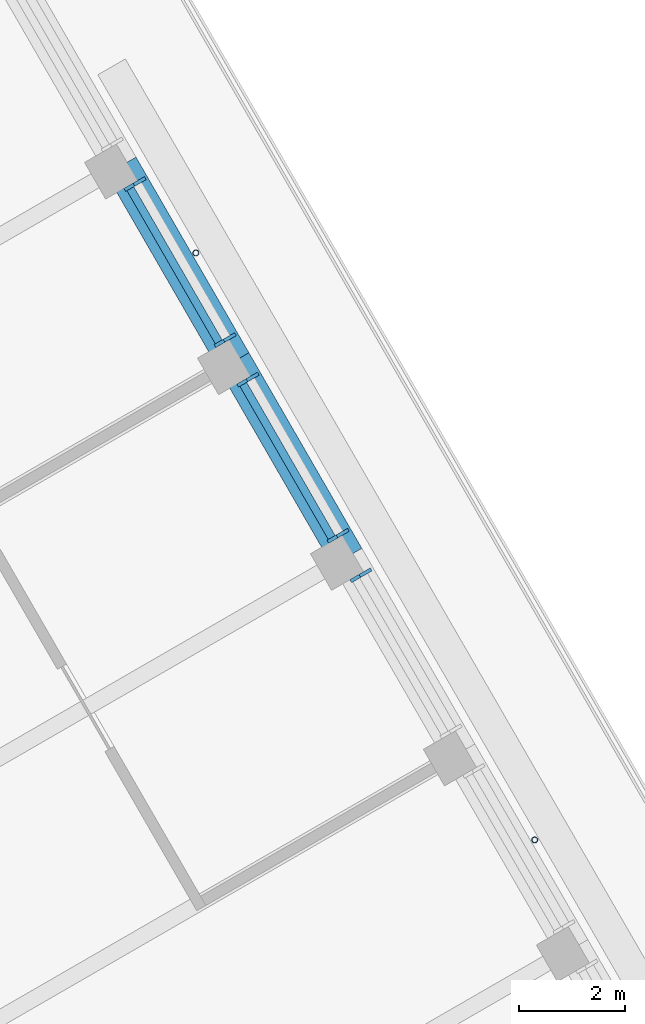
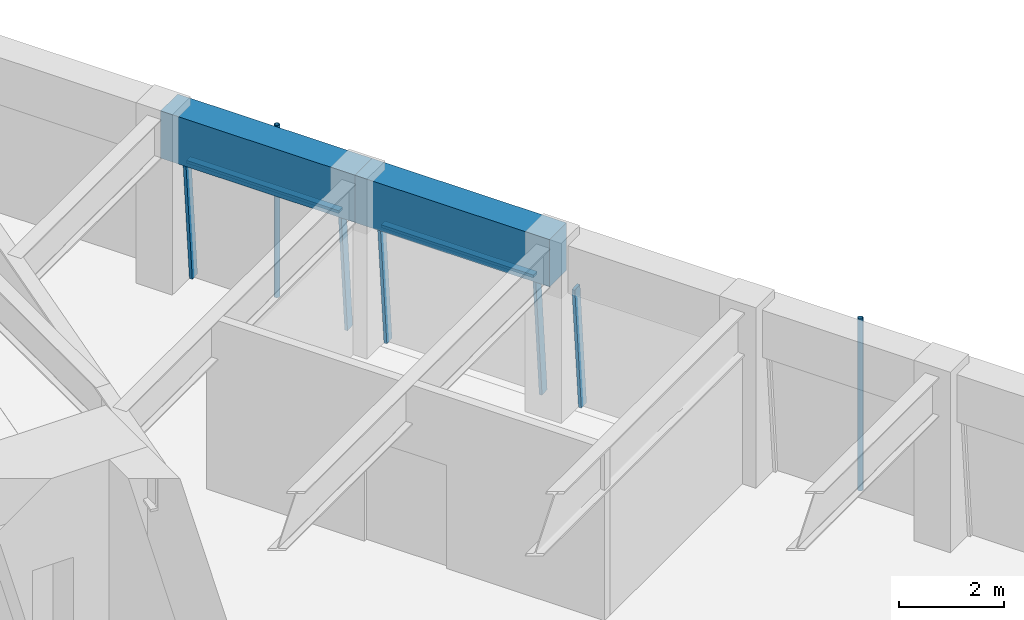
# One storey, part 10 of 20: 9 members, 2 beams, 3 elements without a shape of their own.
"""IFC4 building model written with IfcOpenShell, lengths in metres."""

from ifc_helpers import new_model, si_unit, direction, frame, origin, origin_2d, place, context, subcontext, project, spatial, rectangle, hollow_circle, extrude, material, material_profile, profile_set, type_object, element, aggregate, save


model = new_model("IFC4")

# Units and contexts
model_context = context("Model", 3, precision=1e-05, world=origin(), true_north=direction((0.0, 1.0)))
body_context = subcontext(model_context, "Body", "Model", "MODEL_VIEW")
ifc_project = project(units=[si_unit("LENGTHUNIT", "METRE"), si_unit("AREAUNIT", "SQUARE_METRE"), si_unit("VOLUMEUNIT", "CUBIC_METRE"), si_unit("PLANEANGLEUNIT", "RADIAN"), si_unit("MASSUNIT", "GRAM", prefix="KILO")], contexts=[model_context])

# Site, building, storey
site_placement = place(None, origin())
site = spatial("IfcSite", under=ifc_project, at=site_placement, CompositionType="ELEMENT")
building_placement = place(site_placement, origin())
building = spatial("IfcBuilding", under=site, at=building_placement, Name="Tarfa Lantern Tower", CompositionType="ELEMENT")
storey_placement = place(building_placement, frame((0.0, 0.0, 382.89990234375)))
storey = spatial("IfcBuildingStorey", under=building, at=storey_placement, Name="L87", CompositionType="ELEMENT", Elevation=382.89990234375)

# Curtain wall, member
ifc_material_1 = material(Name="Aluminium framed curtain wall", Category="aluminium")
curtain_wall_type = type_object("IfcCurtainWallType", Name="CW4 CANTED GLAZING EXECUTIVE ZONE 2900", PredefinedType="USERDEFINED", material=ifc_material_1)
curtain_wall_1_placement = place(storey_placement, origin())
curtain_wall_1 = element("IfcCurtainWall", 1, at=curtain_wall_1_placement, inside=storey, type_object=curtain_wall_type, Name="CW4 NE L87", ObjectType="CURTAIN WALL", PredefinedType="USERDEFINED")
ifc_material_2 = material(Name="Aluminium mullion", Category="aluminium")
ifc_material_profile_1 = material_profile(ifc_material_2, rectangle(XDim=0.06494140625, YDim=0.199951171875, at=origin_2d()), Name="AL MULLION 65x200")
ifc_profile_set_1 = profile_set([ifc_material_profile_1], Name="Aluminium mullion")
member_type_1 = type_object("IfcMemberType", Name="CWM1 MULLION 65x200", PredefinedType="MULLION", material=ifc_profile_set_1)
member_1_placement = place(storey_placement, frame((23.2958984375, 12.950439453125, 0.0), z_axis=(-0.074393603155, -0.042941967097, 0.996303959277), x_axis=(0.499919672301, -0.866071776036, 0.0)))
member_1 = element("IfcMember", 2, at=member_1_placement, type_object=member_type_1, Name="CW4 mullion 2", PredefinedType="MULLION", context=body_context, shape_type="SweptSolid", body=[
    extrude(rectangle(XDim=0.06494140625, YDim=0.199951171875, at=origin_2d()), origin(), (0.0, 0.0, 1.0), 2.910888671875),
])
aggregate(curtain_wall_1, [member_1])

# Curtain wall, members
curtain_wall_2_placement = place(storey_placement, origin())
curtain_wall_2 = element("IfcCurtainWall", 3, at=curtain_wall_2_placement, inside=storey, type_object=curtain_wall_type, Name="CW4 NE L87", ObjectType="CURTAIN WALL", PredefinedType="USERDEFINED")
member_2_placement = place(storey_placement, frame((22.86328125, 13.699462890625, 0.0), z_axis=(-0.074393603155, -0.042941967097, 0.996303959277), x_axis=(0.499919672301, -0.866071776036, 0.0)))
member_2 = element("IfcMember", 4, at=member_2_placement, type_object=member_type_1, Name="CW4 mullion 1", PredefinedType="MULLION", context=body_context, shape_type="SweptSolid", body=[
    extrude(rectangle(XDim=0.06494140625, YDim=0.199951171875, at=origin_2d()), origin(), (0.0, 0.0, 1.0), 2.910888671875),
])
member_3_placement = place(storey_placement, frame((21.15478515625, 16.65869140625, 0.0), z_axis=(-0.074393603155, -0.042941967097, 0.996303959277), x_axis=(0.499919672301, -0.866071776036, 0.0)))
member_3 = element("IfcMember", 5, at=member_3_placement, type_object=member_type_1, Name="CW4 mullion 2", PredefinedType="MULLION", context=body_context, shape_type="SweptSolid", body=[
    extrude(rectangle(XDim=0.06494140625, YDim=0.199951171875, at=origin_2d()), origin(), (0.0, 0.0, 1.0), 2.910888671875),
])

curtain_wall_3_placement = place(storey_placement, origin())
curtain_wall_3 = element("IfcCurtainWall", 6, at=curtain_wall_3_placement, inside=storey, type_object=curtain_wall_type, Name="CW4 NE L87", ObjectType="CURTAIN WALL", PredefinedType="USERDEFINED")
member_4_placement = place(storey_placement, frame((20.722412109375, 17.407958984375, 0.0), z_axis=(-0.074393603155, -0.042941967097, 0.996303959277), x_axis=(0.499919672301, -0.866071776036, 0.0)))
member_4 = element("IfcMember", 7, at=member_4_placement, type_object=member_type_1, Name="CW4 mullion 1", PredefinedType="MULLION", context=body_context, shape_type="SweptSolid", body=[
    extrude(rectangle(XDim=0.06494140625, YDim=0.199951171875, at=origin_2d()), origin(), (0.0, 0.0, 1.0), 2.910888671875),
])
member_5_placement = place(storey_placement, frame((19.013916015625, 20.3671875, 0.0), z_axis=(-0.074393603155, -0.042941967097, 0.996303959277), x_axis=(0.499919672301, -0.866071776036, 0.0)))
member_5 = element("IfcMember", 8, at=member_5_placement, type_object=member_type_1, Name="CW4 mullion 2", PredefinedType="MULLION", context=body_context, shape_type="SweptSolid", body=[
    extrude(rectangle(XDim=0.06494140625, YDim=0.199951171875, at=origin_2d()), origin(), (0.0, 0.0, 1.0), 2.910888671875),
])

# Member
ifc_material_3 = material(Name="Aluminium transom", Category="aluminium")
ifc_material_profile_2 = material_profile(ifc_material_3, rectangle(XDim=0.14990234375, YDim=0.06494140625, at=origin_2d()), Name="AL TRANSOM 150x65")
ifc_profile_set_2 = profile_set([ifc_material_profile_2], Name="Aluminium transom")
member_type_2 = type_object("IfcMemberType", Name="CWT1 TRANSOM 150x65", PredefinedType="USERDEFINED", material=ifc_profile_set_2)
member_6_placement = place(storey_placement, frame((22.633056640625, 13.60400390625, 2.86767578125), z_axis=(-0.499985139611, 0.866033983264, 0.0), x_axis=(-0.866033983264, -0.499985139611, 0.0)))
member_6 = element("IfcMember", 9, at=member_6_placement, type_object=member_type_2, Name="CW4 transom 1.2", ObjectType="TRANSOM", PredefinedType="USERDEFINED", context=body_context, shape_type="SweptSolid", body=[
    extrude(rectangle(XDim=0.14990234375, YDim=0.06494140625, at=origin_2d()), origin(), (0.0, 0.0, 1.0), 3.35205078125),
])

aggregate(curtain_wall_2, [member_2, member_3, member_6])

member_7_placement = place(storey_placement, frame((20.491943359375, 17.3125, 2.86767578125), z_axis=(-0.500016677412, 0.866015774862, 0.0), x_axis=(-0.866015774862, -0.500016677412, 0.0)))
member_7 = element("IfcMember", 10, at=member_7_placement, type_object=member_type_2, Name="CW4 transom 1.2", ObjectType="TRANSOM", PredefinedType="USERDEFINED", context=body_context, shape_type="SweptSolid", body=[
    extrude(rectangle(XDim=0.14990234375, YDim=0.06494140625, at=origin_2d()), origin(), (0.0, 0.0, 1.0), 3.35205078125),
])

aggregate(curtain_wall_3, [member_4, member_5, member_7])

# Beams
ifc_material_4 = material(Name="Concrete C80/95", Category="concrete")
ifc_material_profile_3 = material_profile(ifc_material_4, rectangle(XDim=0.64990234375, YDim=1.10009765625, at=origin_2d()), Name="RC 650x1100")
ifc_profile_set_3 = profile_set([ifc_material_profile_3], Name="Concrete C80/95")
beam_type = type_object("IfcBeamType", Name="EB4 RC 650x1100", PredefinedType="SPANDREL", material=ifc_profile_set_3)
for number, where, z_axis, x_axis, name in (
    (11, (22.923583984375, 13.235107421875, 3.4501953125), (-0.499984039138, 0.866034618596, 0.0), (-0.866034618596, -0.499984039138, 0.0), "Edge beam NE3"),
    (12, (20.78271484375, 16.943359375, 3.4501953125), (-0.500026801138, 0.866009929587, 0.0), (-0.866009929587, -0.500026801138, 0.0), "Edge beam NE4"),
):
    element("IfcBeam", number, at=place(storey_placement, frame(where, z_axis=z_axis, x_axis=x_axis)), inside=storey, type_object=beam_type, Name=name, PredefinedType="SPANDREL", context=body_context, shape_type="SweptSolid", body=[
        extrude(rectangle(XDim=0.64990234375, YDim=1.10009765625, at=origin_2d()), origin(), (0.0, 0.0, 1.0), 4.281982421875),
    ])

# Members
ifc_material_5 = material(Name="Steel S355", Category="steel")
ifc_material_profile_4 = material_profile(ifc_material_5, hollow_circle(Radius=0.05712890625, WallThickness=0.00634765625, at=origin_2d()), Name="CHS114.3x6.3")
ifc_profile_set_4 = profile_set([ifc_material_profile_4], Name="Steel S355")
member_type_3 = type_object("IfcMemberType", Name="TR1 GREEN WALL TRELLIS CHS114.3x6.3", PredefinedType="USERDEFINED", material=ifc_profile_set_4)
for number, where, z_axis, x_axis, name in (
    (13, (26.481689453125, 7.87255859375, 0.0), (0.0, 0.0, 1.0), (1.0, 0.0, 0.0), "Trellis post NE 1"),
    (14, (20.05859375, 18.99755859375, 0.0), (0.0, 0.0, 1.0), (1.0, 0.0, 0.0), "Trellis post NE 2"),
):
    element("IfcMember", number, at=place(storey_placement, frame(where, z_axis=z_axis, x_axis=x_axis)), inside=storey, type_object=member_type_3, Name=name, ObjectType="TRELLIS", PredefinedType="USERDEFINED", context=body_context, shape_type="SweptSolid", body=[
        extrude(hollow_circle(Radius=0.05712890625, WallThickness=0.00634765625, at=origin_2d()), origin(), (0.0, 0.0, 1.0), 4.0),
    ])

save(model, "model.ifc")
